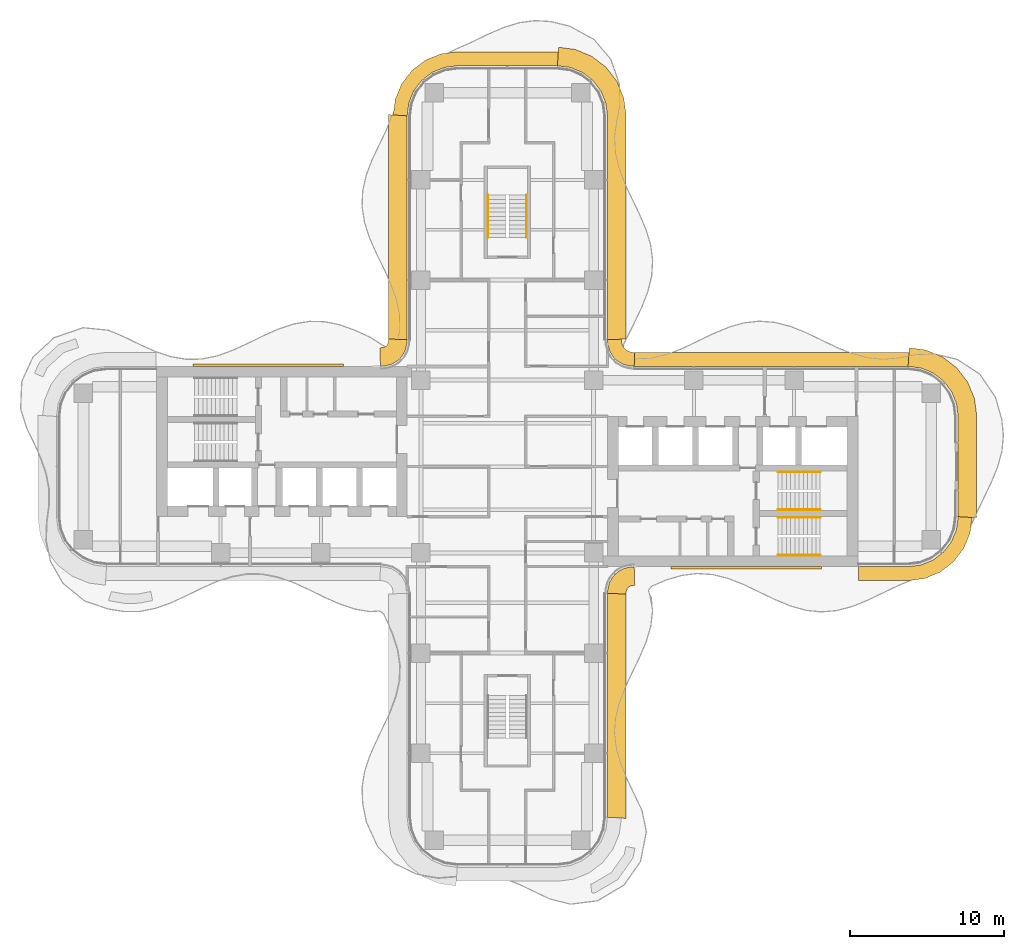
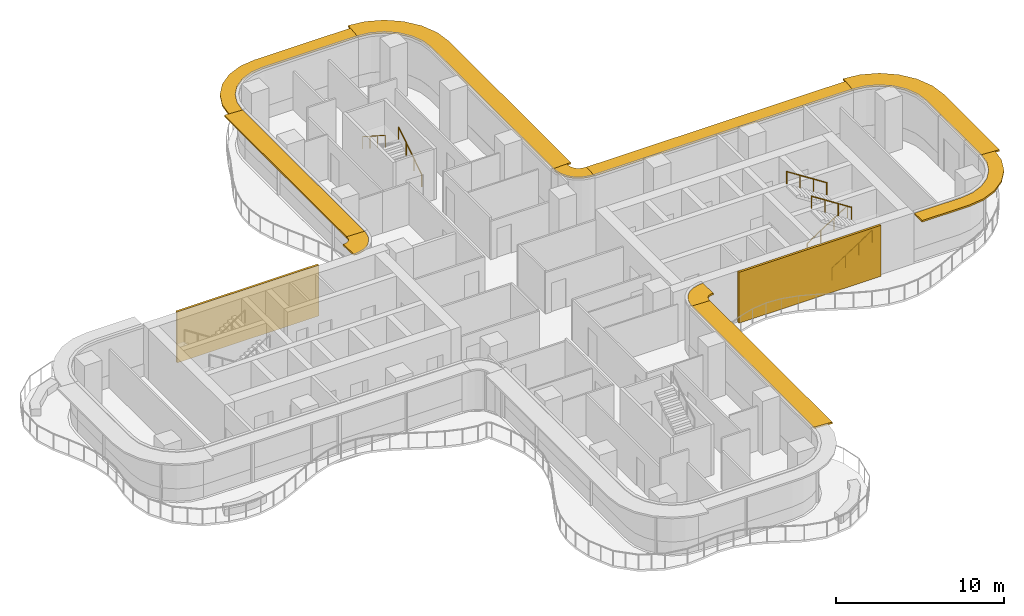
# One storey, part 17 of 17: 10 shading devices, 6 railings, 2 coverings.
"""IFC4 building model written with IfcOpenShell, lengths in metres."""

from ifc_helpers import new_model, si_unit, direction, frame, origin, origin_2d, place, context, subcontext, project, spatial, polyline, circle, outline, extrude, source, transform, mapped, material, layer, layer_set, type_object, element, save


model = new_model("IFC4")

# Units and contexts
model_context = context("Model", 3, precision=1e-05, world=origin(), true_north=direction((0.0, 1.0)))
body_context = subcontext(model_context, "Body", "Model", "MODEL_VIEW")
ifc_project = project(units=[si_unit("LENGTHUNIT", "METRE"), si_unit("AREAUNIT", "SQUARE_METRE"), si_unit("VOLUMEUNIT", "CUBIC_METRE"), si_unit("PLANEANGLEUNIT", "RADIAN"), si_unit("MASSUNIT", "GRAM", prefix="KILO")], contexts=[model_context])

# Site, building, storey
site_placement = place(None, origin())
site = spatial("IfcSite", under=ifc_project, at=site_placement, CompositionType="ELEMENT")
building_placement = place(site_placement, origin())
building = spatial("IfcBuilding", under=site, at=building_placement, Name="Trellis Farm Tower", CompositionType="ELEMENT")
storey_placement = place(building_placement, frame((0.0, 0.0, 181.5)))
storey = spatial("IfcBuildingStorey", under=building, at=storey_placement, Name="L39", CompositionType="ELEMENT", Elevation=181.5)

# Railings
ifc_material_1 = material(Name="Stainless steel", Category="steel")
railing_type = type_object("IfcRailingType", Name="STAIR HANDRAIL 900", PredefinedType="HANDRAIL", material=ifc_material_1)
shared_shape_1 = source(origin(), body_context, "Body", "SweptSolid", [
    extrude(circle(Radius=0.02392578125, at=origin_2d()), frame((0.0, 0.0, 0.8759765625), z_axis=(0.0, 0.840503830235, 0.541805602924), x_axis=(-1.0, 0.0, 0.0)), (0.0, 0.0, 1.0), 3.271728515625),
    extrude(circle(Radius=0.02099609375, at=origin_2d()), origin(), (0.0, 0.0, 1.0), 0.851806640625),
    extrude(circle(Radius=0.02099609375, at=origin_2d()), frame((0.0, 0.916748046875, 0.5908203125)), (0.0, 0.0, 1.0), 0.851806640625),
    extrude(circle(Radius=0.02099609375, at=origin_2d()), frame((0.0, 1.833251953125, 1.181884765625)), (0.0, 0.0, 1.0), 0.851806640625),
    extrude(circle(Radius=0.02099609375, at=origin_2d()), frame((0.0, 2.75, 1.772705078125)), (0.0, 0.0, 1.0), 0.851806640625),
])
railing_1_placement = place(storey_placement, frame((1.25, 14.85009765625, 0.17724609375)))
element("IfcRailing", 1, at=railing_1_placement, inside=storey, type_object=railing_type, Name="Stair handrail", PredefinedType="HANDRAIL", context=body_context, shape_type="MappedRepresentation", body=[
    mapped(shared_shape_1, transform((0.0, 0.0, 0.0))),
])
shared_shape_2 = source(origin(), body_context, "Body", "SweptSolid", [
    extrude(circle(Radius=0.02392578125, at=origin_2d()), frame((0.0, 0.0, 0.8759765625), z_axis=(0.0, -0.840503830235, 0.541805602924), x_axis=(1.0, 0.0, 0.0)), (0.0, 0.0, 1.0), 3.271728515625),
    extrude(circle(Radius=0.02099609375, at=origin_2d()), origin(), (0.0, 0.0, 1.0), 0.851806640625),
    extrude(circle(Radius=0.02099609375, at=origin_2d()), frame((0.0, -0.916748046875, 0.5908203125)), (0.0, 0.0, 1.0), 0.851806640625),
    extrude(circle(Radius=0.02099609375, at=origin_2d()), frame((0.0, -1.833251953125, 1.181884765625)), (0.0, 0.0, 1.0), 0.851806640625),
    extrude(circle(Radius=0.02099609375, at=origin_2d()), frame((0.0, -2.75, 1.772705078125)), (0.0, 0.0, 1.0), 0.851806640625),
])
railing_2_placement = place(storey_placement, frame((-1.25, 17.60009765625, 2.127197265625)))
element("IfcRailing", 2, at=railing_2_placement, inside=storey, type_object=railing_type, Name="Stair handrail", PredefinedType="HANDRAIL", context=body_context, shape_type="MappedRepresentation", body=[
    mapped(shared_shape_2, transform((0.0, 0.0, 0.0))),
])
shared_shape_3 = source(origin(), body_context, "Body", "SweptSolid", [
    extrude(circle(Radius=0.02392578125, at=origin_2d()), frame((0.0, 0.0, 0.8759765625), z_axis=(0.840503830235, 0.0, 0.541805602924), x_axis=(0.0, 1.0, 0.0)), (0.0, 0.0, 1.0), 3.271728515625),
    extrude(circle(Radius=0.02099609375, at=origin_2d()), origin(), (0.0, 0.0, 1.0), 0.851806640625),
    extrude(circle(Radius=0.02099609375, at=origin_2d()), frame((0.916748046875, 0.0, 0.5908203125)), (0.0, 0.0, 1.0), 0.851806640625),
    extrude(circle(Radius=0.02099609375, at=origin_2d()), frame((1.833251953125, 0.0, 1.181884765625)), (0.0, 0.0, 1.0), 0.851806640625),
    extrude(circle(Radius=0.02099609375, at=origin_2d()), frame((2.75, 0.0, 1.772705078125)), (0.0, 0.0, 1.0), 0.851806640625),
])
for number, where, name in (
    (3, (17.550048828125, -5.75, 0.17724609375), "Stair handrail"),
    (4, (17.550048828125, -2.800048828125, 0.17724609375), "Stair handrail"),
):
    element("IfcRailing", number, at=place(storey_placement, frame(where)), inside=storey, type_object=railing_type, Name=name, PredefinedType="HANDRAIL", context=body_context, shape_type="MappedRepresentation", body=[
        mapped(shared_shape_3, transform((0.0, 0.0, 0.0))),
    ])
shared_shape_4 = source(origin(), body_context, "Body", "SweptSolid", [
    extrude(circle(Radius=0.02392578125, at=origin_2d()), frame((0.0, 0.0, 0.8759765625), z_axis=(-0.840503830235, 0.0, 0.541805602924), x_axis=(0.0, -1.0, 0.0)), (0.0, 0.0, 1.0), 3.271728515625),
    extrude(circle(Radius=0.02099609375, at=origin_2d()), origin(), (0.0, 0.0, 1.0), 0.851806640625),
    extrude(circle(Radius=0.02099609375, at=origin_2d()), frame((-0.916748046875, 0.0, 0.5908203125)), (0.0, 0.0, 1.0), 0.851806640625),
    extrude(circle(Radius=0.02099609375, at=origin_2d()), frame((-1.833251953125, 0.0, 1.181884765625)), (0.0, 0.0, 1.0), 0.851806640625),
    extrude(circle(Radius=0.02099609375, at=origin_2d()), frame((-2.75, 0.0, 1.772705078125)), (0.0, 0.0, 1.0), 0.851806640625),
])
for number, where, name in (
    (5, (20.300048828125, -3.300048828125, 2.127197265625), "Stair handrail"),
    (6, (20.300048828125, -0.35009765625, 2.127197265625), "Stair handrail"),
):
    element("IfcRailing", number, at=place(storey_placement, frame(where)), inside=storey, type_object=railing_type, Name=name, PredefinedType="HANDRAIL", context=body_context, shape_type="MappedRepresentation", body=[
        mapped(shared_shape_4, transform((0.0, 0.0, 0.0))),
    ])

# Shading devices
ifc_material_2 = material(Name="Aluminium extrusion 6063-T6", Category="aluminium")
ifc_layer_1 = layer(ifc_material_2, 0.1201171875)
ifc_layer_set_1 = layer_set([ifc_layer_1], Name="SUNSHADE BLADE 1200")
shading_device_type_1 = type_object("IfcShadingDeviceType", Name="SUNSHADE BLADE 1200", PredefinedType="USERDEFINED", material=ifc_layer_set_1)
shared_shape_5 = source(origin(), body_context, "Body", "SweptSolid", [
    extrude(outline(polyline([(7.699951171875, -8.270751953125), (7.708740234375, -8.13720703125), (7.70703125, -8.150146484375), (7.7548828125, -7.9716796875), (7.80712890625, -7.881103515625), (7.881103515625, -7.80712890625), (7.9716796875, -7.7548828125), (8.150146484375, -7.70703125), (8.13720703125, -7.708740234375), (8.270751953125, -7.699951171875), (8.2314453125, -6.5), (8.01953125, -6.513916015625), (7.91552734375, -6.527587890625), (7.508544921875, -6.63671875), (7.144287109375, -6.846923828125), (6.846923828125, -7.144287109375), (6.63671875, -7.508544921875), (6.527587890625, -7.91552734375), (6.513916015625, -8.01953125), (6.5, -8.2314453125), (7.699951171875, -8.270751953125)])), origin(), (0.0, 0.0, 1.0), 0.119873046875),
])
placement_1 = place(storey_placement, frame((0.0, 0.0, 3.5400390625)))
element("IfcShadingDevice", 7, at=placement_1, inside=storey, type_object=shading_device_type_1, Name="SD2 006", ObjectType="SUNSHADE", PredefinedType="USERDEFINED", context=body_context, shape_type="MappedRepresentation", body=[
    mapped(shared_shape_5, transform((0.0, 0.0, 0.0))),
])
ifc_layer_2 = layer(ifc_material_2, 0.1201171875)
ifc_layer_set_2 = layer_set([ifc_layer_2], Name="SUNSHADE BLADE 900")
shading_device_type_2 = type_object("IfcShadingDeviceType", Name="SUNSHADE BLADE 900", PredefinedType="USERDEFINED", material=ifc_layer_set_2)
shared_shape_6 = source(origin(), body_context, "Body", "SweptSolid", [
    extrude(outline(polyline([(8.2607421875, 7.39990234375), (8.107666015625, 7.409912109375), (8.091552734375, 7.412109375), (7.85595703125, 7.475341796875), (7.697021484375, 7.567138671875), (7.567138671875, 7.697021484375), (7.475341796875, 7.85595703125), (7.412109375, 8.091552734375), (7.409912109375, 8.107666015625), (7.39990234375, 8.2607421875), (6.5, 8.2314453125), (6.513916015625, 8.01953125), (6.527587890625, 7.91552734375), (6.63671875, 7.508544921875), (6.846923828125, 7.144287109375), (7.144287109375, 6.846923828125), (7.508544921875, 6.63671875), (7.91552734375, 6.527587890625), (8.01953125, 6.513916015625), (8.2314453125, 6.5), (8.2607421875, 7.39990234375)])), origin(), (0.0, 0.0, 1.0), 0.119873046875),
])
element("IfcShadingDevice", 8, at=placement_1, inside=storey, type_object=shading_device_type_2, Name="SD1 010", ObjectType="SUNSHADE", PredefinedType="USERDEFINED", context=body_context, shape_type="MappedRepresentation", body=[
    mapped(shared_shape_6, transform((0.0, 0.0, 0.0))),
])
shared_shape_7 = source(origin(), body_context, "Body", "SweptSolid", [
    extrude(outline(polyline([(-7.699951171875, 8.270751953125), (-7.708740234375, 8.13720703125), (-7.70703125, 8.150146484375), (-7.7548828125, 7.9716796875), (-7.80712890625, 7.881103515625), (-7.881103515625, 7.80712890625), (-7.9716796875, 7.7548828125), (-8.150146484375, 7.70703125), (-8.13720703125, 7.708740234375), (-8.270751953125, 7.699951171875), (-8.2314453125, 6.5), (-8.01953125, 6.513916015625), (-7.91552734375, 6.527587890625), (-7.508544921875, 6.63671875), (-7.144287109375, 6.846923828125), (-6.846923828125, 7.144287109375), (-6.63671875, 7.508544921875), (-6.527587890625, 7.91552734375), (-6.513916015625, 8.01953125), (-6.5, 8.2314453125), (-7.699951171875, 8.270751953125)])), origin(), (0.0, 0.0, 1.0), 0.119873046875),
])
element("IfcShadingDevice", 9, at=placement_1, inside=storey, type_object=shading_device_type_1, Name="SD2 014", ObjectType="SUNSHADE", PredefinedType="USERDEFINED", context=body_context, shape_type="MappedRepresentation", body=[
    mapped(shared_shape_7, transform((0.0, 0.0, 0.0))),
])
shared_shape_8 = source(origin(), body_context, "Body", "SweptSolid", [
    extrude(outline(polyline([(7.699951171875, 8.270751953125), (7.699951171875, 22.82861328125), (7.558349609375, 23.904541015625), (7.11279296875, 24.980224609375), (6.404052734375, 25.904052734375), (5.480224609375, 26.61279296875), (4.404541015625, 27.058349609375), (3.32861328125, 27.199951171875), (3.25, 26.0), (4.091064453125, 25.88916015625), (4.875, 25.564697265625), (5.548095703125, 25.048095703125), (6.064697265625, 24.375), (6.38916015625, 23.591064453125), (6.5, 22.75), (6.5, 8.2314453125), (7.699951171875, 8.270751953125)])), origin(), (0.0, 0.0, 1.0), 0.119873046875),
])
element("IfcShadingDevice", 10, at=placement_1, inside=storey, type_object=shading_device_type_1, Name="SD2 011", ObjectType="SUNSHADE", PredefinedType="USERDEFINED", context=body_context, shape_type="MappedRepresentation", body=[
    mapped(shared_shape_8, transform((0.0, 0.0, 0.0))),
])
shared_shape_9 = source(origin(), body_context, "Body", "SweptSolid", [
    extrude(outline(polyline([(3.30908203125, 26.89990234375), (-3.30908203125, 26.89990234375), (-4.326171875, 26.76611328125), (-5.328857421875, 26.350830078125), (-6.18994140625, 25.68994140625), (-6.850830078125, 24.828857421875), (-7.26611328125, 23.826171875), (-7.39990234375, 22.80908203125), (-6.5, 22.75), (-6.38916015625, 23.591064453125), (-6.064697265625, 24.375), (-5.548095703125, 25.048095703125), (-4.875, 25.564697265625), (-4.091064453125, 25.88916015625), (-3.25, 26.0), (3.25, 26.0), (3.30908203125, 26.89990234375)])), origin(), (0.0, 0.0, 1.0), 0.119873046875),
])
element("IfcShadingDevice", 11, at=placement_1, inside=storey, type_object=shading_device_type_2, Name="SD1 012", ObjectType="SUNSHADE", PredefinedType="USERDEFINED", context=body_context, shape_type="MappedRepresentation", body=[
    mapped(shared_shape_9, transform((0.0, 0.0, 0.0))),
])
shared_shape_10 = source(origin(), body_context, "Body", "SweptSolid", [
    extrude(outline(polyline([(-7.699951171875, 22.82861328125), (-7.699951171875, 8.270751953125), (-6.5, 8.2314453125), (-6.5, 22.75), (-7.699951171875, 22.82861328125)])), origin(), (0.0, 0.0, 1.0), 0.119873046875),
])
element("IfcShadingDevice", 12, at=placement_1, inside=storey, type_object=shading_device_type_1, Name="SD2 013", ObjectType="SUNSHADE", PredefinedType="USERDEFINED", context=body_context, shape_type="MappedRepresentation", body=[
    mapped(shared_shape_10, transform((0.0, 0.0, 0.0))),
])
shared_shape_11 = source(origin(), body_context, "Body", "SweptSolid", [
    extrude(outline(polyline([(22.780029296875, -7.39990234375), (26.05908203125, -7.39990234375), (27.076171875, -7.26611328125), (28.078857421875, -6.850830078125), (28.93994140625, -6.18994140625), (29.600830078125, -5.328857421875), (30.01611328125, -4.326171875), (30.14990234375, -3.30908203125), (29.25, -3.25), (29.13916015625, -4.091064453125), (28.814697265625, -4.875), (28.298095703125, -5.548095703125), (27.625, -6.064697265625), (26.841064453125, -6.38916015625), (26.0, -6.5), (22.780029296875, -6.5), (22.780029296875, -7.39990234375)])), origin(), (0.0, 0.0, 1.0), 0.119873046875),
])
element("IfcShadingDevice", 13, at=placement_1, inside=storey, type_object=shading_device_type_2, Name="SD1 007", ObjectType="SUNSHADE", PredefinedType="USERDEFINED", context=body_context, shape_type="MappedRepresentation", body=[
    mapped(shared_shape_11, transform((0.0, 0.0, 0.0))),
])
shared_shape_12 = source(origin(), body_context, "Body", "SweptSolid", [
    extrude(outline(polyline([(30.449951171875, -3.32861328125), (30.449951171875, 3.32861328125), (30.308349609375, 4.404541015625), (29.86279296875, 5.480224609375), (29.154052734375, 6.404052734375), (28.230224609375, 7.11279296875), (27.154541015625, 7.558349609375), (26.07861328125, 7.699951171875), (26.0, 6.5), (26.841064453125, 6.38916015625), (27.625, 6.064697265625), (28.298095703125, 5.548095703125), (28.814697265625, 4.875), (29.13916015625, 4.091064453125), (29.25, 3.25), (29.25, -3.25), (30.449951171875, -3.32861328125)])), origin(), (0.0, 0.0, 1.0), 0.119873046875),
])
element("IfcShadingDevice", 14, at=placement_1, inside=storey, type_object=shading_device_type_1, Name="SD2 008", ObjectType="SUNSHADE", PredefinedType="USERDEFINED", context=body_context, shape_type="MappedRepresentation", body=[
    mapped(shared_shape_12, transform((0.0, 0.0, 0.0))),
])
shared_shape_13 = source(origin(), body_context, "Body", "SweptSolid", [
    extrude(outline(polyline([(26.05908203125, 7.39990234375), (8.2607421875, 7.39990234375), (8.2314453125, 6.5), (26.0, 6.5), (26.05908203125, 7.39990234375)])), origin(), (0.0, 0.0, 1.0), 0.119873046875),
])
element("IfcShadingDevice", 15, at=placement_1, inside=storey, type_object=shading_device_type_2, Name="SD1 009", ObjectType="SUNSHADE", PredefinedType="USERDEFINED", context=body_context, shape_type="MappedRepresentation", body=[
    mapped(shared_shape_13, transform((0.0, 0.0, 0.0))),
])
shared_shape_14 = source(origin(), body_context, "Body", "SweptSolid", [
    extrude(outline(polyline([(7.699951171875, -22.82861328125), (7.699951171875, -8.270751953125), (6.5, -8.2314453125), (6.5, -22.75), (7.699951171875, -22.82861328125)])), origin(), (0.0, 0.0, 1.0), 0.119873046875),
])
element("IfcShadingDevice", 16, at=placement_1, inside=storey, type_object=shading_device_type_1, Name="SD2 005", ObjectType="SUNSHADE", PredefinedType="USERDEFINED", context=body_context, shape_type="MappedRepresentation", body=[
    mapped(shared_shape_14, transform((0.0, 0.0, 0.0))),
])

# Coverings
ifc_material_3 = material(Name="Perforated precast screen (cobogo)", Category="concrete")
ifc_layer_3 = layer(ifc_material_3, 0.14990234375)
ifc_layer_set_3 = layer_set([ifc_layer_3], Name="COBOGO SCREEN PANEL")
covering_type = type_object("IfcCoveringType", Name="COBOGO SCREEN PANEL", PredefinedType="USERDEFINED", material=ifc_layer_set_3)
shared_shape_15 = source(origin(), body_context, "Body", "SweptSolid", [
    extrude(outline(polyline([(10.630615234375, -6.64990234375), (20.380615234375, -6.64990234375), (20.380615234375, -6.5), (10.630615234375, -6.5), (10.630615234375, -6.64990234375)])), origin(), (0.0, 0.0, 1.0), 3.699951171875),
])
placement_2 = place(storey_placement, origin())
element("IfcCovering", 17, at=placement_2, inside=storey, type_object=covering_type, Name="SC1 01", ObjectType="SCREEN", PredefinedType="USERDEFINED", context=body_context, shape_type="MappedRepresentation", body=[
    mapped(shared_shape_15, transform((0.0, 0.0, 0.0))),
])
shared_shape_16 = source(origin(), body_context, "Body", "SweptSolid", [
    extrude(outline(polyline([(-10.630615234375, 6.64990234375), (-20.380615234375, 6.64990234375), (-20.380615234375, 6.5), (-10.630615234375, 6.5), (-10.630615234375, 6.64990234375)])), origin(), (0.0, 0.0, 1.0), 3.699951171875),
])
element("IfcCovering", 18, at=placement_2, inside=storey, type_object=covering_type, Name="SC1 02", ObjectType="SCREEN", PredefinedType="USERDEFINED", context=body_context, shape_type="MappedRepresentation", body=[
    mapped(shared_shape_16, transform((0.0, 0.0, 0.0))),
])

save(model, "model.ifc")
